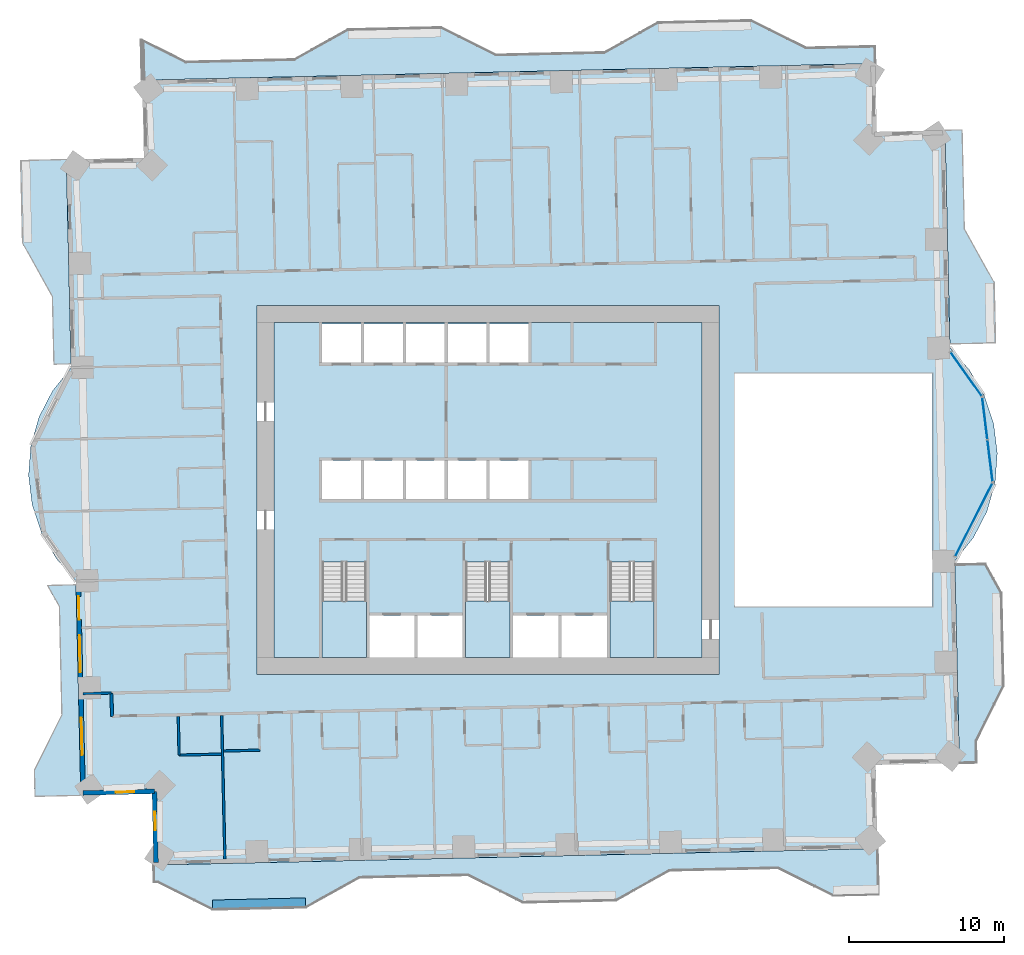
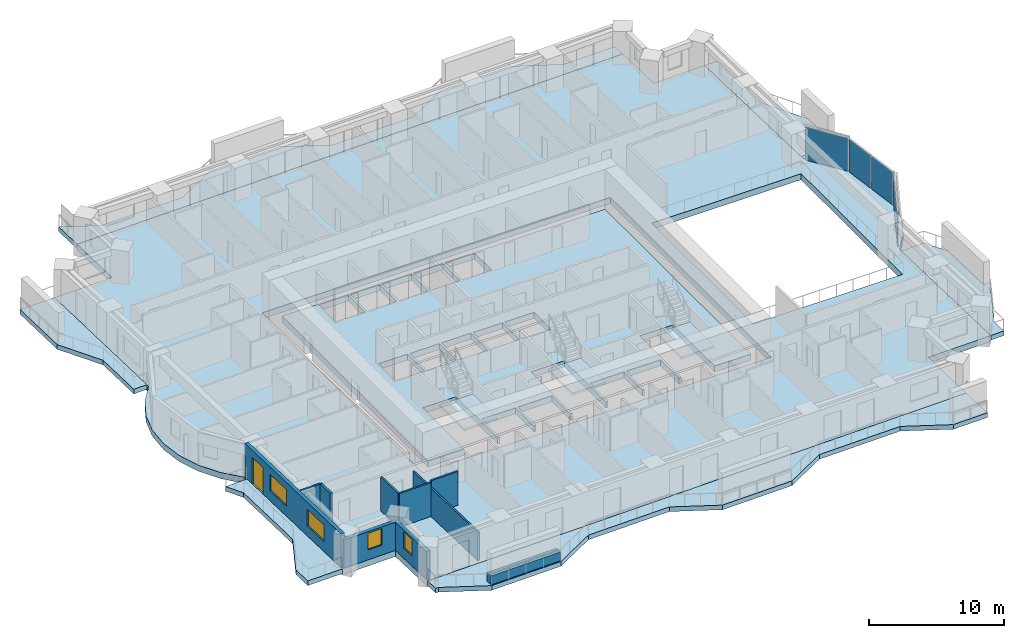
# One storey, part 5 of 17: 11 slabs, 10 walls, 4 plates, 4 windows, 1 door, 5 openings, 6 elements without a shape of their own.
"""IFC4 building model written with IfcOpenShell, lengths in metres."""

import ifcopenshell
import ifcopenshell.guid

model = None  # the IFC model being written
_history = None  # IfcOwnerHistory: only IFC2X3 demands one
_inside = {}  # id of a spatial element -> (the spatial element, [elements in it])
_under = {}  # id of a project, library or spatial element -> (it, [spatial elements below it])
_declared = {}  # id of a project -> (the project, [libraries it declares])
_typed = {}  # id of a type object -> (the type object, [elements of that type])
_made_of = {}  # id of a material, layer set ... -> (it, [elements and type objects made of it])


def new_model(schema):
    """Start an empty IFC model of exactly this schema.

    Asked for "IFC4X3", IfcOpenShell would pick the latest addendum, in which some entities
    have other attributes; the version numbers below select the first issue.
    IFC2X3 requires an IfcOwnerHistory on every rooted entity: one is made here for all.
    """
    global model, _history
    if schema == "IFC4X3":
        model = ifcopenshell.file(schema_version=(4, 3, 0, 0))
    else:
        model = ifcopenshell.file(schema=schema)
    _inside.clear()
    _under.clear()
    _declared.clear()
    _typed.clear()
    _made_of.clear()
    _history = None
    if model.schema == "IFC2X3":
        org = make("IfcOrganization", Name="unknown")
        user = make(
            "IfcPersonAndOrganization",
            ThePerson=make("IfcPerson", FamilyName="unknown"),
            TheOrganization=org,
        )
        app = make(
            "IfcApplication",
            ApplicationDeveloper=org,
            Version="unknown",
            ApplicationFullName="unknown",
            ApplicationIdentifier="unknown",
        )
        _history = make(
            "IfcOwnerHistory",
            OwningUser=user,
            OwningApplication=app,
            ChangeAction="ADDED",
            CreationDate=0,
        )
    return model


def make(cls, **values):
    """One entity of the class cls with the attributes given. An attribute that is None is left unset."""
    return model.create_entity(
        cls, **{name: value for name, value in values.items() if value is not None}
    )


def rooted(cls, **values):
    """An entity with a GlobalId (a new one), such as an element, a storey or a relation."""
    return make(cls, GlobalId=ifcopenshell.guid.new(), OwnerHistory=_history, **values)


def si_unit(unit_type, name, prefix=None):
    """IfcSIUnit, for example si_unit("LENGTHUNIT", "METRE", prefix="MILLI")."""
    return make("IfcSIUnit", UnitType=unit_type, Prefix=prefix, Name=name)


def assignment(units):
    """IfcUnitAssignment: the units of a project."""
    return None if units is None else make("IfcUnitAssignment", Units=units)


def point(xyz):
    """IfcCartesianPoint."""
    return None if xyz is None else make("IfcCartesianPoint", Coordinates=xyz)


def direction(xyz):
    """IfcDirection."""
    return None if xyz is None else make("IfcDirection", DirectionRatios=xyz)


def frame(location, z_axis=None, x_axis=None):
    """IfcAxis2Placement3D, a coordinate frame: its origin and axes. An axis left out is left unset."""
    return make(
        "IfcAxis2Placement3D",
        Location=point(location),
        Axis=direction(z_axis),
        RefDirection=direction(x_axis),
    )


def frame_2d(location, x_axis=None):
    """IfcAxis2Placement2D, a coordinate frame in the plane: its origin and x axis."""
    return make(
        "IfcAxis2Placement2D", Location=point(location), RefDirection=direction(x_axis)
    )


def origin():
    """The frame at (0, 0, 0) with its axes left unset."""
    return frame((0.0, 0.0, 0.0))


def origin_2d():
    """The frame at (0, 0) in the plane with its x axis left unset."""
    return frame_2d((0.0, 0.0))


def place(relative_to, where):
    """IfcLocalPlacement: puts the frame where relative to a parent placement (None: the world)."""
    return make(
        "IfcLocalPlacement", PlacementRelTo=relative_to, RelativePlacement=where
    )


def context(
    kind, dimensions, precision=None, world=None, true_north=None, identifier=None
):
    """IfcGeometricRepresentationContext, for example the 3D "Model" context."""
    return make(
        "IfcGeometricRepresentationContext",
        ContextIdentifier=identifier,
        ContextType=kind,
        CoordinateSpaceDimension=dimensions,
        Precision=precision,
        WorldCoordinateSystem=world,
        TrueNorth=true_north,
    )


def subcontext(parent, identifier, kind, view, scale=None):
    """IfcGeometricRepresentationSubContext, for example "Body" below "Model"."""
    return make(
        "IfcGeometricRepresentationSubContext",
        ContextIdentifier=identifier,
        ContextType=kind,
        ParentContext=parent,
        TargetScale=scale,
        TargetView=view,
    )


def project(units=None, contexts=None):
    """IfcProject with its units and contexts."""
    return rooted(
        "IfcProject",
        Name="project",
        RepresentationContexts=contexts,
        UnitsInContext=assignment(units),
    )


def spatial(cls, under=None, at=None, **own):
    """A site, building, storey or space (cls), placed at a placement, below another one or the project."""
    s = rooted(cls, ObjectPlacement=at, **own)
    if under is not None:
        _under.setdefault(under.id(), (under, []))[1].append(s)
    return s


def polyline(points):
    """IfcPolyline through the points."""
    return make("IfcPolyline", Points=[point(p) for p in points])


def profile(cls, at=None, kind="AREA", **sizes):
    """A parametric profile (cls). Its sizes go by their IFC names, for example OverallWidth=200.0."""
    return make(cls, ProfileType=kind, Position=at, **sizes)


def rectangle(**sizes):
    """IfcRectangleProfileDef."""
    return profile("IfcRectangleProfileDef", **sizes)


def outline(outer, holes=None, kind="AREA"):
    """IfcArbitraryClosedProfileDef: a profile drawn as a closed curve; with holes, ...WithVoids."""
    if holes is None:
        return make("IfcArbitraryClosedProfileDef", ProfileType=kind, OuterCurve=outer)
    return make(
        "IfcArbitraryProfileDefWithVoids",
        ProfileType=kind,
        OuterCurve=outer,
        InnerCurves=holes,
    )


def extrude(swept, where, along, depth):
    """IfcExtrudedAreaSolid: the profile swept, set in the frame where, extruded along a direction by depth."""
    return make(
        "IfcExtrudedAreaSolid",
        SweptArea=swept,
        Position=where,
        ExtrudedDirection=direction(along),
        Depth=depth,
    )


def shape(context_of_items, identifier, shape_type, items):
    """IfcShapeRepresentation: the items that make up one representation, for example the "Body"."""
    return make(
        "IfcShapeRepresentation",
        ContextOfItems=context_of_items,
        RepresentationIdentifier=identifier,
        RepresentationType=shape_type,
        Items=items,
    )


def material(Name=None, Category=None):
    """IfcMaterial."""
    return make("IfcMaterial", Name=Name, Category=Category)


def layer(
    of_material, thickness, ventilated=None, Name=None, Category=None, Priority=None
):
    """IfcMaterialLayer: one layer of a wall or slab, of a material (None: an air gap)."""
    return make(
        "IfcMaterialLayer",
        Material=of_material,
        LayerThickness=thickness,
        IsVentilated=ventilated,
        Name=Name,
        Category=Category,
        Priority=Priority,
    )


def layer_set(layers, Name=None):
    """IfcMaterialLayerSet."""
    return make("IfcMaterialLayerSet", MaterialLayers=layers, LayerSetName=Name)


def made_of(thing, what):
    """Note that an element or type object is made of a material, layer set ...; save() writes the relation."""
    if what is not None:
        _made_of.setdefault(what.id(), (what, []))[1].append(thing)
    return thing


def type_object(cls, material=None, **own):
    """A type object (cls), such as IfcWallType, which elements share."""
    return made_of(rooted(cls, **own), material)


def element(
    cls,
    number,
    at=None,
    inside=None,
    cuts=None,
    type_object=None,
    material=None,
    context=None,
    identifier="Body",
    shape_type=None,
    held_by="IfcProductDefinitionShape",
    body=None,
    shapes=None,
    **own,
):
    """One element of the class cls, such as IfcWall. Its Tag is "e" and its number.

    at: its placement. inside: the storey or other place that contains it. cuts: it is an
    opening in that element (IfcRelVoidsElement). A single representation is given by context,
    identifier, shape_type and body (its items); several are given by shapes. held_by: the class
    of the entity that holds the representations. save() writes the other relations.
    """
    e = rooted(cls, Tag="e%d" % number, ObjectPlacement=at, **own)
    if body is not None:
        shapes = [shape(context, identifier, shape_type, body)]
    if shapes is not None:
        e.Representation = make(held_by, Representations=shapes)
    if inside is not None:
        _inside.setdefault(inside.id(), (inside, []))[1].append(e)
    if cuts is not None:
        rooted(
            "IfcRelVoidsElement", RelatingBuildingElement=cuts, RelatedOpeningElement=e
        )
    if type_object is not None:
        _typed.setdefault(type_object.id(), (type_object, []))[1].append(e)
    return made_of(e, material)


def fill(opening, filler):
    """IfcRelFillsElement: the door or window that sits in an opening."""
    return rooted(
        "IfcRelFillsElement",
        RelatingOpeningElement=opening,
        RelatedBuildingElement=filler,
    )


def aggregate(whole, parts):
    """IfcRelAggregates: a whole, such as a stair, and the parts it consists of."""
    return rooted("IfcRelAggregates", RelatingObject=whole, RelatedObjects=parts)


def save(model, path):
    """Write the relations noted so far, then the file.

    IfcRelAggregates (storeys below a building ...), IfcRelContainedInSpatialStructure (elements
    in a storey), IfcRelDefinesByType, IfcRelAssociatesMaterial and IfcRelDeclares: one each for
    every whole, place, type object, material and project.
    """
    for whole, parts in _under.values():
        aggregate(whole, parts)
    for where, things in _inside.values():
        rooted(
            "IfcRelContainedInSpatialStructure",
            RelatedElements=things,
            RelatingStructure=where,
        )
    for kind, things in _typed.values():
        rooted("IfcRelDefinesByType", RelatedObjects=things, RelatingType=kind)
    for what, things in _made_of.values():
        rooted("IfcRelAssociatesMaterial", RelatedObjects=things, RelatingMaterial=what)
    for by, libraries in _declared.values():
        rooted("IfcRelDeclares", RelatingContext=by, RelatedDefinitions=libraries)
    model.write(path)


model = new_model("IFC4")

# Units and contexts
model_context = context("Model", 3, precision=1e-05, world=origin(), true_north=direction((0.0, 1.0)))
body_context = subcontext(model_context, "Body", "Model", "MODEL_VIEW")
ifc_project = project(units=[si_unit("LENGTHUNIT", "METRE"), si_unit("AREAUNIT", "SQUARE_METRE"), si_unit("VOLUMEUNIT", "CUBIC_METRE"), si_unit("PLANEANGLEUNIT", "RADIAN"), si_unit("MASSUNIT", "GRAM", prefix="KILO")], contexts=[model_context])

# Site, building, storey
site_placement = place(None, origin())
site = spatial("IfcSite", under=ifc_project, at=site_placement, CompositionType="ELEMENT")
building_placement = place(site_placement, origin())
building = spatial("IfcBuilding", under=site, at=building_placement, Name="Mangrove Gate Tower", CompositionType="ELEMENT")
storey_placement = place(building_placement, frame((0.0, 0.0, 79.300048828125)))
storey = spatial("IfcBuildingStorey", under=building, at=storey_placement, Name="L19", CompositionType="ELEMENT", Elevation=79.300048828125)

# Curtain wall, plate
ifc_material_1 = material(Name="Aluminium and glass curtain wall", Category="aluminium")
curtain_wall_type = type_object("IfcCurtainWallType", Name="Atrium garden-court glazing wall", PredefinedType="NOTDEFINED", material=ifc_material_1)
curtain_wall_1_placement = place(storey_placement, origin())
curtain_wall_1 = element("IfcCurtainWall", 1, at=curtain_wall_1_placement, inside=storey, type_object=curtain_wall_type, Name="Atrium garden-court glazing E1f1", PredefinedType="NOTDEFINED")
ifc_material_2 = material(Name="Laminated low-e glass", Category="glass")
ifc_layer_1 = layer(ifc_material_2, 0.031982421875)
ifc_layer_set_1 = layer_set([ifc_layer_1], Name="Atrium garden-court glazing panel 32")
plate_type = type_object("IfcPlateType", Name="Atrium garden-court glazing panel 32", PredefinedType="CURTAIN_PANEL", material=ifc_layer_set_1)
plate_1_placement = place(storey_placement, frame((31.310791015625, -1.928466796875, 0.0), z_axis=(0.0, 0.0, 1.0), x_axis=(0.452580762064, 0.891723417776, 0.0)))
plate_1 = element("IfcPlate", 2, at=plate_1_placement, type_object=plate_type, Name="CWA panel 1.1", PredefinedType="CURTAIN_PANEL", context=body_context, shape_type="SweptSolid", body=[
    extrude(rectangle(XDim=5.257568359375, YDim=0.031982421875, at=origin_2d()), origin(), (0.0, 0.0, 1.0), 2.97998046875),
])
aggregate(curtain_wall_1, [plate_1])

# Curtain wall, plates
curtain_wall_2_placement = place(storey_placement, origin())
curtain_wall_2 = element("IfcCurtainWall", 3, at=curtain_wall_2_placement, inside=storey, type_object=curtain_wall_type, Name="Atrium garden-court glazing E1f2", PredefinedType="NOTDEFINED")
plate_2_placement = place(storey_placement, frame((32.35986328125, 1.87841796875, 0.0), z_axis=(0.0, 0.0, 1.0), x_axis=(-0.122172286076, 0.992508908028, 0.0)))
plate_2 = element("IfcPlate", 4, at=plate_2_placement, type_object=plate_type, Name="CWA panel 1.1", PredefinedType="CURTAIN_PANEL", context=body_context, shape_type="SweptSolid", body=[
    extrude(rectangle(XDim=2.681640625, YDim=0.031982421875, at=origin_2d()), origin(), (0.0, 0.0, 1.0), 2.97998046875),
])
plate_3_placement = place(storey_placement, frame((32.023681640625, 4.609619140625, 0.0), z_axis=(0.0, 0.0, 1.0), x_axis=(-0.122172286076, 0.992508908028, 0.0)))
plate_3 = element("IfcPlate", 5, at=plate_3_placement, type_object=plate_type, Name="CWA panel 2.1", PredefinedType="CURTAIN_PANEL", context=body_context, shape_type="SweptSolid", body=[
    extrude(rectangle(XDim=2.681640625, YDim=0.031982421875, at=origin_2d()), origin(), (0.0, 0.0, 1.0), 2.97998046875),
])
aggregate(curtain_wall_2, [plate_2, plate_3])

# Curtain wall, plate
curtain_wall_3_placement = place(storey_placement, origin())
curtain_wall_3 = element("IfcCurtainWall", 6, at=curtain_wall_3_placement, inside=storey, type_object=curtain_wall_type, Name="Atrium garden-court glazing E1f3", PredefinedType="NOTDEFINED")
plate_4_placement = place(storey_placement, frame((30.81982421875, 7.465576171875, 0.0), z_axis=(0.0, 0.0, 1.0), x_axis=(-0.578109291006, 0.815959341911, 0.0)))
plate_4 = element("IfcPlate", 7, at=plate_4_placement, type_object=plate_type, Name="CWA panel 1.1", PredefinedType="CURTAIN_PANEL", context=body_context, shape_type="SweptSolid", body=[
    extrude(rectangle(XDim=3.42822265625, YDim=0.031982421875, at=origin_2d()), origin(), (0.0, 0.0, 1.0), 2.97998046875),
])
aggregate(curtain_wall_3, [plate_4])

# Slabs
ifc_material_3 = material(Name="Porcelain tile")
ifc_layer_2 = layer(ifc_material_3, 0.02001953125, Name="Tile finish")
ifc_material_4 = material(Name="Cement sand screed")
ifc_layer_3 = layer(ifc_material_4, 0.0400390625, Name="Screed laid to falls")
ifc_material_5 = material(Name="Bituminous waterproofing membrane")
ifc_layer_4 = layer(ifc_material_5, 0.00390625, Name="Waterproofing")
ifc_material_6 = material(Name="Concrete C40/50", Category="concrete")
ifc_layer_5 = layer(ifc_material_6, 0.340087890625, Name="Balcony structural slab")
ifc_material_7 = material(Name="Limestone", Category="masonry")
ifc_layer_6 = layer(ifc_material_7, 0.01611328125, Name="Soffit lining")
ifc_layer_set_2 = layer_set([ifc_layer_2, ifc_layer_3, ifc_layer_4, ifc_layer_5, ifc_layer_6], Name="Balcony slab 420 C40/50")
slab_type_1 = type_object("IfcSlabType", Name="Balcony slab 420 C40/50", PredefinedType="FLOOR", material=ifc_layer_set_2)
slab_1_placement = place(storey_placement, frame((0.0, 0.0, -0.420166015625)))
element("IfcSlab", 8, at=slab_1_placement, inside=storey, type_object=slab_type_1, Name="BALCONY L19 E0", PredefinedType="FLOOR", context=body_context, shape_type="SweptSolid", body=[
    extrude(outline(polyline([(31.52001953125, -17.575927734375), (31.488037109375, -16.177001953125), (33.258056640625, -12.635009765625), (33.1220703125, -6.636962890625), (32.089111328125, -4.784912109375), (30.090087890625, -4.8310546875), (30.133056640625, -6.705078125), (30.26904296875, -12.702880859375), (30.347900390625, -16.201904296875), (30.3798828125, -17.60205078125), (31.52001953125, -17.575927734375)])), origin(), (0.0, 0.0, 1.0), 0.420166015625),
])
slab_2_placement = place(storey_placement, frame((0.0, 0.0, -0.420166015625)))
element("IfcSlab", 9, at=slab_2_placement, inside=storey, type_object=slab_type_1, Name="BALCONY L19 E1", PredefinedType="FLOOR", context=body_context, shape_type="SweptSolid", body=[
    extrude(outline(polyline([(32.756103515625, 9.48388671875), (32.66796875, 13.35791015625), (30.739013671875, 16.81494140625), (30.593994140625, 23.212890625), (29.455078125, 23.18701171875), (29.60009765625, 16.7890625), (29.678955078125, 13.2900390625), (29.76708984375, 9.416015625), (32.756103515625, 9.48388671875)])), origin(), (0.0, 0.0, 1.0), 0.420166015625),
])
slab_3_placement = place(storey_placement, frame((0.0, 0.0, -0.420166015625)))
element("IfcSlab", 10, at=slab_3_placement, inside=storey, type_object=slab_type_1, Name="BALCONY L19 N0", PredefinedType="FLOOR", context=body_context, shape_type="SweptSolid", body=[
    extrude(outline(polyline([(24.929931640625, 28.6259765625), (20.4951171875, 28.52587890625), (16.9541015625, 30.2958984375), (10.9560546875, 30.159912109375), (7.498046875, 28.23095703125), (0.5, 28.072998046875), (-3.041015625, 29.842041015625), (-9.0390625, 29.7060546875), (-12.49609375, 27.777099609375), (-19.4951171875, 27.618896484375), (-22.364013671875, 29.052001953125), (-22.303955078125, 26.4140625), (24.9560546875, 27.487060546875), (24.929931640625, 28.6259765625)])), origin(), (0.0, 0.0, 1.0), 0.420166015625),
])
slab_4_placement = place(storey_placement, frame((0.0, 0.0, -0.420166015625)))
element("IfcSlab", 11, at=slab_4_placement, inside=storey, type_object=slab_type_1, Name="BALCONY L19 W0", PredefinedType="FLOOR", context=body_context, shape_type="SweptSolid", body=[
    extrude(outline(polyline([(-30.177978515625, 21.23388671875), (-30.05810546875, 15.93505859375), (-28.12890625, 12.47802734375), (-28.030029296875, 8.10498046875), (-26.889892578125, 8.131103515625), (-26.989990234375, 12.50390625), (-27.069091796875, 16.0029296875), (-27.18896484375, 21.302001953125), (-30.177978515625, 21.23388671875)])), origin(), (0.0, 0.0, 1.0), 0.420166015625),
])
slab_5_placement = place(storey_placement, frame((0.0, 0.0, -0.420166015625)))
element("IfcSlab", 12, at=slab_5_placement, inside=storey, type_object=slab_type_1, Name="BALCONY L19 W1", PredefinedType="FLOOR", context=body_context, shape_type="SweptSolid", body=[
    extrude(outline(polyline([(-28.43310546875, -6.158935546875), (-27.676025390625, -7.51708984375), (-27.51708984375, -14.514892578125), (-29.287109375, -18.055908203125), (-29.248046875, -19.7548828125), (-26.259033203125, -19.68798828125), (-26.298095703125, -17.988037109375), (-26.376953125, -14.489013671875), (-26.535888671875, -7.490966796875), (-26.56689453125, -6.115966796875), (-28.43310546875, -6.158935546875)])), origin(), (0.0, 0.0, 1.0), 0.420166015625),
])
slab_6_placement = place(storey_placement, frame((0.0, 0.0, -0.420166015625)))
element("IfcSlab", 13, at=slab_6_placement, inside=storey, type_object=slab_type_1, Name="BALCONY L19 S0", PredefinedType="FLOOR", context=body_context, shape_type="SweptSolid", body=[
    extrude(outline(polyline([(-21.530029296875, -25.322021484375), (-21.2939453125, -25.31591796875), (-17.7529296875, -27.0859375), (-11.7548828125, -26.949951171875), (-8.297119140625, -25.02099609375), (-1.299072265625, -24.863037109375), (1.8359375, -26.429931640625), (2.241943359375, -26.633056640625), (8.239990234375, -26.4970703125), (11.697021484375, -24.568115234375), (18.696044921875, -24.409912109375), (22.237060546875, -26.178955078125), (25.172119140625, -26.112060546875), (25.10400390625, -23.123046875), (2.174072265625, -23.64306640625), (1.77392578125, -23.653076171875), (-21.555908203125, -24.181884765625), (-21.530029296875, -25.322021484375)])), origin(), (0.0, 0.0, 1.0), 0.420166015625),
])
ifc_material_8 = material(Name="Concrete C40/50", Category="concrete")
ifc_layer_7 = layer(ifc_material_8, 0.550048828125)
ifc_layer_set_3 = layer_set([ifc_layer_7], Name="Core floor slab 550 C40/50")
slab_type_2 = type_object("IfcSlabType", Name="Core floor slab 550 C40/50", PredefinedType="FLOOR", material=ifc_layer_set_3)
slab_7_placement = place(storey_placement, frame((0.0, 0.0, -0.550048828125)))
element("IfcSlab", 14, at=slab_7_placement, inside=storey, type_object=slab_type_2, Name="SLAB-L19-CORE-1", PredefinedType="FLOOR", context=body_context, shape_type="SweptSolid", body=[
    extrude(outline(polyline([(-13.800048828125, -10.800048828125), (-13.800048828125, 10.800048828125), (13.800048828125, 10.800048828125), (13.800048828125, -10.800048828125), (10.699951171875, -10.800048828125), (10.699951171875, -4.653076171875), (7.85009765625, -4.653076171875), (7.85009765625, -10.800048828125), (7.64990234375, -10.800048828125), (7.64990234375, -8.10009765625), (4.72509765625, -8.10009765625), (4.72509765625, -10.800048828125), (4.52490234375, -10.800048828125), (4.52490234375, -8.10009765625), (1.60009765625, -8.10009765625), (1.60009765625, -10.800048828125), (1.39990234375, -10.800048828125), (1.39990234375, -4.653076171875), (-1.449951171875, -4.653076171875), (-1.449951171875, -10.800048828125), (-1.64990234375, -10.800048828125), (-1.64990234375, -8.10009765625), (-4.550048828125, -8.10009765625), (-4.550048828125, -10.800048828125), (-4.75, -10.800048828125), (-4.75, -8.10009765625), (-7.64990234375, -8.10009765625), (-7.64990234375, -10.800048828125), (-7.85009765625, -10.800048828125), (-7.85009765625, -4.653076171875), (-10.699951171875, -4.653076171875), (-10.699951171875, -10.800048828125), (-13.800048828125, -10.800048828125)]), holes=[polyline([(-8.199951171875, -0.60009765625), (-8.199951171875, 1.89990234375), (-10.699951171875, 1.89990234375), (-10.699951171875, -0.60009765625), (-8.199951171875, -0.60009765625)]), polyline([(-5.5, -0.60009765625), (-5.5, 1.89990234375), (-8.0, 1.89990234375), (-8.0, -0.60009765625), (-5.5, -0.60009765625)]), polyline([(-2.800048828125, -0.60009765625), (-2.800048828125, 1.89990234375), (-5.300048828125, 1.89990234375), (-5.300048828125, -0.60009765625), (-2.800048828125, -0.60009765625)]), polyline([(-8.199951171875, 8.199951171875), (-8.199951171875, 10.699951171875), (-10.699951171875, 10.699951171875), (-10.699951171875, 8.199951171875), (-8.199951171875, 8.199951171875)]), polyline([(-5.5, 8.199951171875), (-5.5, 10.699951171875), (-8.0, 10.699951171875), (-8.0, 8.199951171875), (-5.5, 8.199951171875)]), polyline([(-2.800048828125, 8.199951171875), (-2.800048828125, 10.699951171875), (-5.300048828125, 10.699951171875), (-5.300048828125, 8.199951171875), (-2.800048828125, 8.199951171875)]), polyline([(-0.10009765625, -0.60009765625), (-0.10009765625, 1.89990234375), (-2.60009765625, 1.89990234375), (-2.60009765625, -0.60009765625), (-0.10009765625, -0.60009765625)]), polyline([(2.60009765625, -0.60009765625), (2.60009765625, 1.89990234375), (0.10009765625, 1.89990234375), (0.10009765625, -0.60009765625), (2.60009765625, -0.60009765625)]), polyline([(-2.60009765625, 8.199951171875), (-0.10009765625, 8.199951171875), (-0.10009765625, 10.699951171875), (-2.60009765625, 10.699951171875), (-2.60009765625, 8.199951171875)]), polyline([(0.10009765625, 8.199951171875), (2.60009765625, 8.199951171875), (2.60009765625, 10.699951171875), (0.10009765625, 10.699951171875), (0.10009765625, 8.199951171875)])]), origin(), (0.0, 0.0, 1.0), 0.550048828125),
])

# Stair, slab
ifc_material_9 = material(Name="Concrete C40/50", Category="concrete")
stair_type = type_object("IfcStairType", Name="Core stair 1350", PredefinedType="HALF_TURN_STAIR", material=ifc_material_9)
stair_1_placement = place(storey_placement, origin())
stair_1 = element("IfcStair", 15, at=stair_1_placement, inside=storey, type_object=stair_type, Name="L19 Stair 1", PredefinedType="HALF_TURN_STAIR")
ifc_material_10 = material(Name="Concrete C40/50", Category="concrete")
ifc_layer_8 = layer(ifc_material_10, 0.199951171875)
ifc_layer_set_4 = layer_set([ifc_layer_8], Name="Core stair landing 200")
slab_type_3 = type_object("IfcSlabType", Name="Core stair landing 200", PredefinedType="LANDING", material=ifc_layer_set_4)
slab_8_placement = place(storey_placement, frame((0.0, 0.0, 1.599853515625)))
slab_8 = element("IfcSlab", 16, at=slab_8_placement, type_object=slab_type_3, Name="ST1 landing 1", PredefinedType="LANDING", context=body_context, shape_type="SweptSolid", body=[
    extrude(outline(polyline([(-10.699951171875, -7.169921875), (-10.699951171875, -10.800048828125), (-7.85009765625, -10.800048828125), (-7.85009765625, -7.169921875), (-10.699951171875, -7.169921875)])), origin(), (0.0, 0.0, 1.0), 0.2001953125),
])
aggregate(stair_1, [slab_8])

stair_2_placement = place(storey_placement, origin())
stair_2 = element("IfcStair", 17, at=stair_2_placement, inside=storey, type_object=stair_type, Name="L19 Stair 2", PredefinedType="HALF_TURN_STAIR")
slab_9_placement = place(storey_placement, frame((0.0, 0.0, 1.599853515625)))
slab_9 = element("IfcSlab", 18, at=slab_9_placement, type_object=slab_type_3, Name="ST2 landing 1", PredefinedType="LANDING", context=body_context, shape_type="SweptSolid", body=[
    extrude(outline(polyline([(-1.449951171875, -7.169921875), (-1.449951171875, -10.800048828125), (1.39990234375, -10.800048828125), (1.39990234375, -7.169921875), (-1.449951171875, -7.169921875)])), origin(), (0.0, 0.0, 1.0), 0.2001953125),
])
aggregate(stair_2, [slab_9])

stair_3_placement = place(storey_placement, origin())
stair_3 = element("IfcStair", 19, at=stair_3_placement, inside=storey, type_object=stair_type, Name="L19 Stair 3", PredefinedType="HALF_TURN_STAIR")
slab_10_placement = place(storey_placement, frame((0.0, 0.0, 1.599853515625)))
slab_10 = element("IfcSlab", 20, at=slab_10_placement, type_object=slab_type_3, Name="ST3 landing 1", PredefinedType="LANDING", context=body_context, shape_type="SweptSolid", body=[
    extrude(outline(polyline([(7.85009765625, -7.169921875), (7.85009765625, -10.800048828125), (10.699951171875, -10.800048828125), (10.699951171875, -7.169921875), (7.85009765625, -7.169921875)])), origin(), (0.0, 0.0, 1.0), 0.2001953125),
])
aggregate(stair_3, [slab_10])

# Slab
ifc_material_11 = material(Name="Concrete C40/50", Category="concrete")
ifc_layer_9 = layer(ifc_material_11, 0.550048828125)
ifc_layer_set_5 = layer_set([ifc_layer_9], Name="Floor slab 550 C40/50")
slab_type_4 = type_object("IfcSlabType", Name="Floor slab 550 C40/50", PredefinedType="FLOOR", material=ifc_layer_set_5)
slab_11_placement = place(storey_placement, frame((0.0, 0.0, -0.550048828125)))
element("IfcSlab", 21, at=slab_11_placement, inside=storey, type_object=slab_type_4, Name="Floor slab L19", PredefinedType="FLOOR", context=body_context, shape_type="SweptSolid", body=[
    extrude(outline(polyline([(-21.555908203125, -24.181884765625), (25.10400390625, -23.123046875), (24.981689453125, -17.724609375), (30.380126953125, -17.60205078125), (30.084716796875, -4.58056640625), (31.28125, -3.08837890625), (32.158203125, -1.388427734375), (32.6806640625, 0.45166015625), (32.827880859375, 2.358642578125), (32.59423828125, 4.257080078125), (31.98876953125, 6.071533203125), (31.03564453125, 7.72998046875), (29.772705078125, 9.16650390625), (29.45458984375, 23.1875), (25.0556640625, 23.087646484375), (24.955810546875, 27.486572265625), (-22.303955078125, 26.4140625), (-22.1904296875, 21.415283203125), (-27.189208984375, 21.302001953125), (-26.884765625, 7.880615234375), (-28.081298828125, 6.388427734375), (-28.958251953125, 4.6884765625), (-29.480712890625, 2.848388671875), (-29.6279296875, 0.94140625), (-29.394287109375, -0.95703125), (-28.788818359375, -2.771484375), (-27.835693359375, -4.429931640625), (-26.57275390625, -5.866455078125), (-26.259033203125, -19.6875), (-21.66015625, -19.583251953125), (-21.555908203125, -24.181884765625)]), holes=[polyline([(15.89990234375, 7.5), (28.658935546875, 7.5), (28.658935546875, -7.5), (15.89990234375, -7.5), (15.89990234375, 7.5)]), polyline([(-14.89990234375, -11.89990234375), (-14.89990234375, 11.89990234375), (14.89990234375, 11.89990234375), (14.89990234375, -11.89990234375), (-14.89990234375, -11.89990234375)])]), origin(), (0.0, 0.0, 1.0), 0.550048828125),
])

# Wall
ifc_material_12 = material(Name="Gypsum board on steel stud, EI 60", Category="steel")
ifc_layer_10 = layer(ifc_material_12, 0.199951171875)
ifc_layer_set_6 = layer_set([ifc_layer_10], Name="Corridor wall EI 60")
wall_type_1 = type_object("IfcWallType", Name="Corridor wall EI 60", PredefinedType="PARTITIONING", material=ifc_layer_set_6)
wall_1_placement = place(storey_placement, frame((-24.248046875, -14.591064453125, 0.0), z_axis=(0.0, 0.0, 1.0), x_axis=(-0.022617910375, 0.999744182344, 0.0)))
element("IfcWall", 22, at=wall_1_placement, inside=storey, type_object=wall_type_1, Name="WALL-L19-031", PredefinedType="PARTITIONING", context=body_context, shape_type="SweptSolid", body=[
    extrude(rectangle(XDim=1.50048828125, YDim=0.199951171875, at=frame_2d((0.750244140625, 0.0))), origin(), (0.0, 0.0, 1.0), 3.050048828125),
])

# Wall, openings, door, windows
ifc_layer_11 = layer(ifc_material_7, 0.0400390625, Name="Limestone cladding")
ifc_material_13 = material(Name="Ventilated air gap")
ifc_layer_12 = layer(ifc_material_13, 0.0400390625, Name="Ventilated cavity")
ifc_material_14 = material(Name="Mineral wool insulation")
ifc_layer_13 = layer(ifc_material_14, 0.06005859375, Name="Insulation")
ifc_material_15 = material(Name="Breather membrane")
ifc_layer_14 = layer(ifc_material_15, 0.001953125, Name="Breather membrane")
ifc_material_16 = material(Name="Concrete C20/25 blockwork", Category="masonry")
ifc_layer_15 = layer(ifc_material_16, 0.14990234375, Name="Blockwork backing wall")
ifc_material_17 = material(Name="Gypsum plaster")
ifc_layer_16 = layer(ifc_material_17, 0.008056640625, Name="Internal plaster")
ifc_layer_set_7 = layer_set([ifc_layer_11, ifc_layer_12, ifc_layer_13, ifc_layer_14, ifc_layer_15, ifc_layer_16], Name="External wall 300 limestone cladding")
wall_type_2 = type_object("IfcWallType", Name="External wall 300 limestone cladding", PredefinedType="SOLIDWALL", material=ifc_layer_set_7)
wall_2_placement = place(storey_placement, frame((-26.424072265625, -5.80810546875, 0.0), z_axis=(0.0, 0.0, 1.0), x_axis=(0.022654755793, -0.999743348085, 0.0)))
wall_2 = element("IfcWall", 23, at=wall_2_placement, inside=storey, type_object=wall_type_2, Name="WALL-L19-W10", PredefinedType="SOLIDWALL", context=body_context, shape_type="SweptSolid", body=[
    extrude(rectangle(XDim=13.729248046875, YDim=0.300048828125, at=frame_2d((6.86474609375, 0.0))), origin(), (0.0, 0.0, 1.0), 3.050048828125),
])
opening_1_placement = place(wall_2_placement, frame((1.053955078125, 0.0, 0.0)))
opening_1 = element("IfcOpeningElement", 24, at=opening_1_placement, cuts=wall_2, Name="Opening BD1", PredefinedType="OPENING", context=body_context, shape_type="SweptSolid", body=[
    extrude(rectangle(XDim=1.5, YDim=2.39990234375, at=frame_2d((0.75, 1.199951171875))), frame((0.0, 0.159912109375, 0.0), z_axis=(0.0, -1.0, 0.0), x_axis=(1.0, 0.0, 0.0)), (0.0, 0.0, 1.0), 0.320068359375),
])
opening_2_placement = place(wall_2_placement, frame((3.56005859375, 0.0, 0.89990234375)))
opening_2 = element("IfcOpeningElement", 25, at=opening_2_placement, cuts=wall_2, Name="Opening W2", PredefinedType="OPENING", context=body_context, shape_type="SweptSolid", body=[
    extrude(rectangle(XDim=2.39990234375, YDim=1.5, at=frame_2d((1.199951171875, 0.75))), frame((0.0, 0.159912109375, 0.0), z_axis=(0.0, -1.0, 0.0), x_axis=(1.0, 0.0, 0.0)), (0.0, 0.0, 1.0), 0.320068359375),
])
opening_3_placement = place(wall_2_placement, frame((8.882080078125, 0.0, 0.89990234375)))
opening_3 = element("IfcOpeningElement", 26, at=opening_3_placement, cuts=wall_2, Name="Opening W2", PredefinedType="OPENING", context=body_context, shape_type="SweptSolid", body=[
    extrude(rectangle(XDim=2.39990234375, YDim=1.5, at=frame_2d((1.199951171875, 0.75))), frame((0.0, 0.159912109375, 0.0), z_axis=(0.0, -1.0, 0.0), x_axis=(1.0, 0.0, 0.0)), (0.0, 0.0, 1.0), 0.320068359375),
])
ifc_material_18 = material(Name="Aluminium frame with laminated clear glass", Category="aluminium")
door_type = type_object("IfcDoorType", Name="Balcony sliding door 1500x2400", OperationType="SLIDING_TO_LEFT", PredefinedType="DOOR", material=ifc_material_18)
door_placement = place(opening_1_placement, origin())
door = element("IfcDoor", 27, at=door_placement, inside=storey, type_object=door_type, Name="DOOR-L19-W10-1", OperationType="SLIDING_TO_LEFT", OverallHeight=2.39990234375, OverallWidth=1.5, PredefinedType="DOOR", context=body_context, shape_type="SweptSolid", body=[
    extrude(rectangle(XDim=1.5, YDim=2.39990234375, at=frame_2d((0.75, 1.199951171875))), frame((0.0, 0.02490234375, 0.0), z_axis=(0.0, -1.0, 0.0), x_axis=(1.0, 0.0, 0.0)), (0.0, 0.0, 1.0), 0.050048828125),
])
fill(opening_1, door)
ifc_material_19 = material(Name="Aluminium frame with double-glazed low-e glass", Category="aluminium")
window_type_1 = type_object("IfcWindowType", Name="Corner room window 2400x1500", PartitioningType="DOUBLE_PANEL_VERTICAL", PredefinedType="WINDOW", material=ifc_material_19)
window_1_placement = place(opening_2_placement, origin())
window_1 = element("IfcWindow", 28, at=window_1_placement, inside=storey, type_object=window_type_1, Name="WIN-L19-W10-2", OverallHeight=1.5, OverallWidth=2.39990234375, PartitioningType="DOUBLE_PANEL_VERTICAL", PredefinedType="WINDOW", context=body_context, shape_type="SweptSolid", body=[
    extrude(rectangle(XDim=2.39990234375, YDim=1.5, at=frame_2d((1.199951171875, 0.75))), frame((0.0, 0.030029296875, 0.0), z_axis=(0.0, -1.0, 0.0), x_axis=(1.0, 0.0, 0.0)), (0.0, 0.0, 1.0), 0.06005859375),
])
fill(opening_2, window_1)
window_2_placement = place(opening_3_placement, origin())
window_2 = element("IfcWindow", 29, at=window_2_placement, inside=storey, type_object=window_type_1, Name="WIN-L19-W10-3", OverallHeight=1.5, OverallWidth=2.39990234375, PartitioningType="DOUBLE_PANEL_VERTICAL", PredefinedType="WINDOW", context=body_context, shape_type="SweptSolid", body=[
    extrude(rectangle(XDim=2.39990234375, YDim=1.5, at=frame_2d((1.199951171875, 0.75))), frame((0.0, 0.030029296875, 0.0), z_axis=(0.0, -1.0, 0.0), x_axis=(1.0, 0.0, 0.0)), (0.0, 0.0, 1.0), 0.06005859375),
])
fill(opening_3, window_2)

# Wall, opening, window
wall_3_placement = place(storey_placement, frame((-26.113037109375, -19.533935546875, 0.0), z_axis=(0.0, 0.0, 1.0), x_axis=(0.999744404568, 0.02260808559, 0.0)))
wall_3 = element("IfcWall", 30, at=wall_3_placement, inside=storey, type_object=wall_type_2, Name="WALL-L19-S11", PredefinedType="SOLIDWALL", context=body_context, shape_type="SweptSolid", body=[
    extrude(rectangle(XDim=4.600341796875, YDim=0.300048828125, at=frame_2d((2.30029296875, 0.0))), origin(), (0.0, 0.0, 1.0), 2.550048828125),
])
opening_4_placement = place(wall_3_placement, frame((2.097900390625, 0.0, 0.89990234375)))
opening_4 = element("IfcOpeningElement", 31, at=opening_4_placement, cuts=wall_3, Name="Opening W1", PredefinedType="OPENING", context=body_context, shape_type="SweptSolid", body=[
    extrude(rectangle(XDim=1.199951171875, YDim=1.5, at=frame_2d((0.60009765625, 0.75))), frame((0.0, 0.159912109375, 0.0), z_axis=(0.0, -1.0, 0.0), x_axis=(1.0, 0.0, 0.0)), (0.0, 0.0, 1.0), 0.320068359375),
])
ifc_material_20 = material(Name="Aluminium frame with double-glazed low-e glass", Category="aluminium")
window_type_2 = type_object("IfcWindowType", Name="Side lite 1200x1500", PartitioningType="SINGLE_PANEL", PredefinedType="WINDOW", material=ifc_material_20)
window_3_placement = place(opening_4_placement, origin())
window_3 = element("IfcWindow", 32, at=window_3_placement, inside=storey, type_object=window_type_2, Name="WIN-L19-S11-1", OverallHeight=1.5, OverallWidth=1.199951171875, PartitioningType="SINGLE_PANEL", PredefinedType="WINDOW", context=body_context, shape_type="SweptSolid", body=[
    extrude(rectangle(XDim=1.199951171875, YDim=1.5, at=frame_2d((0.60009765625, 0.75))), frame((0.0, 0.030029296875, 0.0), z_axis=(0.0, -1.0, 0.0), x_axis=(1.0, 0.0, 0.0)), (0.0, 0.0, 1.0), 0.06005859375),
])
fill(opening_4, window_3)

wall_4_placement = place(storey_placement, frame((-21.513916015625, -19.429931640625, 0.0), z_axis=(0.0, 0.0, 1.0), x_axis=(0.022820258049, -0.999739584003, 0.0)))
wall_4 = element("IfcWall", 33, at=wall_4_placement, inside=storey, type_object=wall_type_2, Name="WALL-L19-W12", PredefinedType="SOLIDWALL", context=body_context, shape_type="SweptSolid", body=[
    extrude(rectangle(XDim=4.600341796875, YDim=0.300048828125, at=frame_2d((2.30029296875, 0.0))), origin(), (0.0, 0.0, 1.0), 2.550048828125),
])
opening_5_placement = place(wall_4_placement, frame((1.303955078125, 0.0, 0.89990234375)))
opening_5 = element("IfcOpeningElement", 34, at=opening_5_placement, cuts=wall_4, Name="Opening W1", PredefinedType="OPENING", context=body_context, shape_type="SweptSolid", body=[
    extrude(rectangle(XDim=1.199951171875, YDim=1.5, at=frame_2d((0.60009765625, 0.75))), frame((0.0, 0.159912109375, 0.0), z_axis=(0.0, -1.0, 0.0), x_axis=(1.0, 0.0, 0.0)), (0.0, 0.0, 1.0), 0.320068359375),
])
window_4_placement = place(opening_5_placement, origin())
window_4 = element("IfcWindow", 35, at=window_4_placement, inside=storey, type_object=window_type_2, Name="WIN-L19-W12-1", OverallHeight=1.5, OverallWidth=1.199951171875, PartitioningType="SINGLE_PANEL", PredefinedType="WINDOW", context=body_context, shape_type="SweptSolid", body=[
    extrude(rectangle(XDim=1.199951171875, YDim=1.5, at=frame_2d((0.60009765625, 0.75))), frame((0.0, 0.030029296875, 0.0), z_axis=(0.0, -1.0, 0.0), x_axis=(1.0, 0.0, 0.0)), (0.0, 0.0, 1.0), 0.06005859375),
])
fill(opening_5, window_4)

# Walls
ifc_material_21 = material(Name="Gypsum board on steel stud, EI 60", Category="steel")
ifc_layer_17 = layer(ifc_material_21, 0.14990234375)
ifc_layer_set_8 = layer_set([ifc_layer_17], Name="Party wall 150 EI 60")
wall_type_3 = type_object("IfcWallType", Name="Party wall 150 EI 60", PredefinedType="PARTITIONING", material=ifc_layer_set_8)
wall_5_placement = place(storey_placement, frame((-16.968017578125, -23.778076171875, 0.0), z_axis=(0.0, 0.0, 1.0), x_axis=(-0.022697424684, 0.999742380272, 0.0)))
element("IfcWall", 36, at=wall_5_placement, inside=storey, type_object=wall_type_3, Name="WALL-L19-001", PredefinedType="PARTITIONING", context=body_context, shape_type="SweptSolid", body=[
    extrude(rectangle(XDim=9.25048828125, YDim=0.14990234375, at=frame_2d((4.625244140625, 0.0))), origin(), (0.0, 0.0, 1.0), 2.550048828125),
])
wall_6_placement = place(storey_placement, frame((-19.919921875, -17.093017578125, 0.0), z_axis=(0.0, 0.0, 1.0), x_axis=(-0.022854521249, 0.999738801317, 0.0)))
element("IfcWall", 37, at=wall_6_placement, inside=storey, type_object=wall_type_3, Name="WALL-L19-018", PredefinedType="PARTITIONING", context=body_context, shape_type="SweptSolid", body=[
    extrude(rectangle(XDim=2.499755859375, YDim=0.14990234375, at=frame_2d((1.25, 0.0))), origin(), (0.0, 0.0, 1.0), 3.050048828125),
])
wall_7_placement = place(storey_placement, frame((-19.916015625, -17.093017578125, 0.0), z_axis=(0.0, 0.0, 1.0), x_axis=(0.999741002259, 0.022758040381, 0.0)))
element("IfcWall", 38, at=wall_7_placement, inside=storey, type_object=wall_type_3, Name="WALL-L19-019", PredefinedType="PARTITIONING", context=body_context, shape_type="SweptSolid", body=[
    extrude(rectangle(XDim=2.724853515625, YDim=0.14990234375, at=frame_2d((1.3623046875, 0.0))), origin(), (0.0, 0.0, 1.0), 3.050048828125),
])
wall_8_placement = place(storey_placement, frame((-17.047119140625, -16.827880859375, 0.0), z_axis=(0.0, 0.0, 1.0), x_axis=(0.99974053329, 0.022778632478, 0.0)))
element("IfcWall", 39, at=wall_8_placement, inside=storey, type_object=wall_type_3, Name="WALL-L19-020", PredefinedType="PARTITIONING", context=body_context, shape_type="SweptSolid", body=[
    extrude(rectangle(XDim=2.32568359375, YDim=0.14990234375, at=frame_2d((1.162841796875, 0.0))), origin(), (0.0, 0.0, 1.0), 3.050048828125),
])
wall_9_placement = place(storey_placement, frame((-26.10791015625, -13.132080078125, 0.0), z_axis=(0.0, 0.0, 1.0), x_axis=(0.999748611628, 0.02242127443, 0.0)))
element("IfcWall", 40, at=wall_9_placement, inside=storey, type_object=wall_type_3, Name="WALL-L19-033", PredefinedType="PARTITIONING", context=body_context, shape_type="SweptSolid", body=[
    extrude(rectangle(XDim=1.829345703125, YDim=0.14990234375, at=frame_2d((0.91455078125, 0.0))), origin(), (0.0, 0.0, 1.0), 3.050048828125),
])
ifc_material_22 = material(Name="Concrete C32/40", Category="concrete")
ifc_layer_18 = layer(ifc_material_22, 0.199951171875, Name="Planter trough wall")
ifc_layer_19 = layer(ifc_material_5, 0.0048828125, Name="Waterproofing")
ifc_material_23 = material(Name="Drainage board and gravel")
ifc_layer_20 = layer(ifc_material_23, 0.044921875, Name="Drainage layer")
ifc_material_24 = material(Name="Planting soil")
ifc_layer_21 = layer(ifc_material_24, 0.300048828125, Name="Growing medium")
ifc_layer_set_9 = layer_set([ifc_layer_18, ifc_layer_19, ifc_layer_20, ifc_layer_21], Name="Planter wall 550 C32/40")
wall_type_4 = type_object("IfcWallType", Name="Planter wall 550 C32/40", PredefinedType="USERDEFINED", material=ifc_layer_set_9)
wall_10_placement = place(storey_placement, frame((-17.760986328125, -26.7119140625, 0.0), z_axis=(0.0, 0.0, 1.0), x_axis=(0.999739392852, 0.022828630714, 0.0)))
element("IfcWall", 41, at=wall_10_placement, inside=storey, type_object=wall_type_4, Name="PLANTER L19 S0.1", ObjectType="PLANTER", PredefinedType="USERDEFINED", context=body_context, shape_type="SweptSolid", body=[
    extrude(rectangle(XDim=5.99951171875, YDim=0.550048828125, at=frame_2d((2.999755859375, 0.0))), origin(), (0.0, 0.0, 1.0), 0.800048828125),
])

save(model, "model.ifc")
